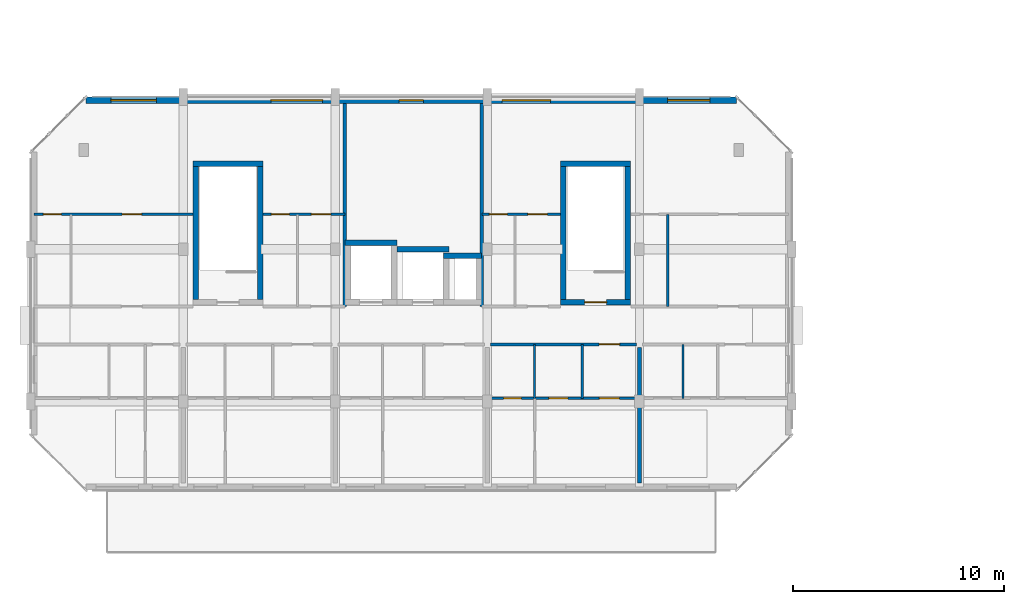
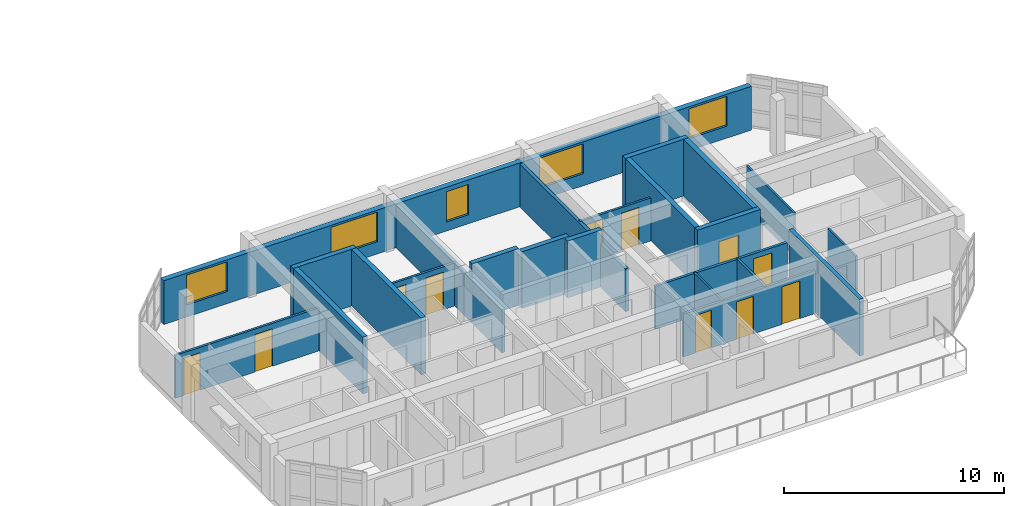
# One storey, part 17 of 40: 23 walls, 11 doors, 5 windows, 16 openings.
"""IFC4 building model written with IfcOpenShell, lengths in metres."""

from ifc_helpers import new_model, si_unit, direction, frame, frame_2d, origin, place, context, subcontext, project, spatial, rectangle, extrude, material, layer, layer_set, type_object, element, fill, save


model = new_model("IFC4")

# Units and contexts
model_context = context("Model", 3, precision=1e-05, world=origin(), true_north=direction((0.0, 1.0)))
body_context = subcontext(model_context, "Body", "Model", "MODEL_VIEW")
ifc_project = project(units=[si_unit("LENGTHUNIT", "METRE"), si_unit("AREAUNIT", "SQUARE_METRE"), si_unit("VOLUMEUNIT", "CUBIC_METRE"), si_unit("PLANEANGLEUNIT", "RADIAN"), si_unit("MASSUNIT", "GRAM", prefix="KILO")], contexts=[model_context])

# Site, building, storey
site_placement = place(None, origin())
site = spatial("IfcSite", under=ifc_project, at=site_placement, CompositionType="ELEMENT")
building_placement = place(site_placement, origin())
building = spatial("IfcBuilding", under=site, at=building_placement, Name="Ochrevale Crest", CompositionType="ELEMENT")
storey_placement = place(building_placement, frame((0.0, 0.0, 27.60009765625)))
storey = spatial("IfcBuildingStorey", under=building, at=storey_placement, Name="L08", CompositionType="ELEMENT", Elevation=27.60009765625)

# Wall, opening, door
ifc_material_1 = material(Name="Gypsum plasterboard", Category="gypsum")
ifc_layer_1 = layer(ifc_material_1, 0.139892578125)
ifc_layer_set_1 = layer_set([ifc_layer_1], Name="Gypsum plasterboard")
wall_type_1 = type_object("IfcWallType", Name="WL-COR-140", PredefinedType="PARTITIONING", material=ifc_layer_set_1)
wall_1_placement = place(storey_placement, frame((21.739990234375, 24.300048828125, 0.0), z_axis=(0.0, 0.0, 1.0), x_axis=(1.0, 0.0, 0.0)))
wall_1 = element("IfcWall", 1, at=wall_1_placement, inside=storey, type_object=wall_type_1, Name="Apartment A-L08-U4 corridor wall", PredefinedType="PARTITIONING", context=body_context, shape_type="SweptSolid", body=[
    extrude(rectangle(XDim=6.919921875, YDim=0.139892578125, at=frame_2d((3.4599609375, 0.0))), origin(), (0.0, 0.0, 1.0), 2.3798828125),
])
opening_1_placement = place(wall_1_placement, frame((5.14501953125, 0.0, 0.0)))
opening_1 = element("IfcOpeningElement", 2, at=opening_1_placement, cuts=wall_1, Name="Opening FD01", PredefinedType="OPENING", context=body_context, shape_type="SweptSolid", body=[
    extrude(rectangle(XDim=0.97998046875, YDim=2.10009765625, at=frame_2d((0.489990234375, 1.050048828125))), frame((0.0, 0.080078125, 0.0), z_axis=(0.0, -1.0, 0.0), x_axis=(1.0, 0.0, 0.0)), (0.0, 0.0, 1.0), 0.159912109375),
])
ifc_material_2 = material(Name="Solid-core FSC hardwood", Category="wood")
door_type_1 = type_object("IfcDoorType", Name="DR-APT-950", OperationType="NOTDEFINED", PredefinedType="DOOR", material=ifc_material_2)
door_1_placement = place(opening_1_placement, origin())
door_1 = element("IfcDoor", 3, at=door_1_placement, inside=storey, type_object=door_type_1, Name="Apartment A-L08-U4 entrance door", OperationType="SINGLE_SWING_LEFT", OverallHeight=2.10009765625, OverallWidth=0.97998046875, PredefinedType="DOOR", context=body_context, shape_type="SweptSolid", body=[
    extrude(rectangle(XDim=0.97998046875, YDim=2.10009765625, at=frame_2d((0.489990234375, 1.050048828125))), frame((0.0, 0.02490234375, 0.0), z_axis=(0.0, -1.0, 0.0), x_axis=(1.0, 0.0, 0.0)), (0.0, 0.0, 1.0), 0.050048828125),
])
fill(opening_1, door_1)

# Walls
ifc_material_3 = material(Name="Precast concrete C50/60", Category="concrete")
ifc_layer_2 = layer(ifc_material_3, 0.2548828125)
ifc_layer_set_2 = layer_set([ifc_layer_2], Name="Precast concrete C50/60")
wall_type_2 = type_object("IfcWallType", Name="WL-CORE-255", PredefinedType="SHEAR", material=ifc_layer_set_2)
wall_2_placement = place(storey_placement, frame((7.672607421875, 32.85009765625, 0.0), z_axis=(0.0, 0.0, 1.0), x_axis=(1.0, 0.0, 0.0)))
element("IfcWall", 4, at=wall_2_placement, inside=storey, type_object=wall_type_2, Name="Block A L08 Stair 1 precast core shear wall N", PredefinedType="SHEAR", context=body_context, shape_type="SweptSolid", body=[
    extrude(rectangle(XDim=3.304931640625, YDim=0.2548828125, at=frame_2d((1.65234375, 0.0))), origin(), (0.0, 0.0, 1.0), 3.14990234375),
])
for number, where, z_axis, x_axis, name in (
    (5, (7.800048828125, 26.427490234375, 0.0), (0.0, 0.0, 1.0), (0.0, 1.0, 0.0), "Block A L08 Stair 1 precast core shear wall W"),
    (6, (10.85009765625, 26.427490234375, 0.0), (0.0, 0.0, 1.0), (0.0, 1.0, 0.0), "Block A L08 Stair 1 precast core shear wall E"),
):
    element("IfcWall", number, at=place(storey_placement, frame(where, z_axis=z_axis, x_axis=x_axis)), inside=storey, type_object=wall_type_2, Name=name, PredefinedType="SHEAR", context=body_context, shape_type="SweptSolid", body=[
        extrude(rectangle(XDim=6.294921875, YDim=0.2548828125, at=frame_2d((3.1474609375, 0.0))), origin(), (0.0, 0.0, 1.0), 3.14990234375),
    ])

# Wall, opening, door
wall_3_placement = place(storey_placement, frame((25.072509765625, 26.300048828125, 0.0), z_axis=(0.0, 0.0, 1.0), x_axis=(1.0, 0.0, 0.0)))
wall_3 = element("IfcWall", 7, at=wall_3_placement, inside=storey, type_object=wall_type_2, Name="Block A L08 Stair 2 precast core shear wall S", PredefinedType="SHEAR", context=body_context, shape_type="SweptSolid", body=[
    extrude(rectangle(XDim=3.304931640625, YDim=0.2548828125, at=frame_2d((1.65234375, 0.0))), origin(), (0.0, 0.0, 1.0), 3.14990234375),
])
opening_2_placement = place(wall_3_placement, frame((1.12744140625, 0.0, 0.0)))
opening_2 = element("IfcOpeningElement", 8, at=opening_2_placement, cuts=wall_3, Name="Opening FD03", PredefinedType="OPENING", context=body_context, shape_type="SweptSolid", body=[
    extrude(rectangle(XDim=1.050048828125, YDim=2.1201171875, at=frame_2d((0.52490234375, 1.06005859375))), frame((0.0, 0.137451171875, 0.0), z_axis=(0.0, -1.0, 0.0), x_axis=(1.0, 0.0, 0.0)), (0.0, 0.0, 1.0), 0.27490234375),
])
door_type_2 = type_object("IfcDoorType", Name="DR-ST-1050", OperationType="NOTDEFINED", PredefinedType="DOOR", material=ifc_material_2)
door_2_placement = place(opening_2_placement, origin())
door_2 = element("IfcDoor", 9, at=door_2_placement, inside=storey, type_object=door_type_2, Name="Block A L08 fire stair 2 door", OperationType="SINGLE_SWING_LEFT", OverallHeight=2.1201171875, OverallWidth=1.050048828125, PredefinedType="DOOR", context=body_context, shape_type="SweptSolid", body=[
    extrude(rectangle(XDim=1.050048828125, YDim=2.1201171875, at=frame_2d((0.52490234375, 1.06005859375))), frame((0.0, 0.02490234375, 0.0), z_axis=(0.0, -1.0, 0.0), x_axis=(1.0, 0.0, 0.0)), (0.0, 0.0, 1.0), 0.050048828125),
])
fill(opening_2, door_2)

# Walls
wall_4_placement = place(storey_placement, frame((25.072509765625, 32.85009765625, 0.0), z_axis=(0.0, 0.0, 1.0), x_axis=(1.0, 0.0, 0.0)))
element("IfcWall", 10, at=wall_4_placement, inside=storey, type_object=wall_type_2, Name="Block A L08 Stair 2 precast core shear wall N", PredefinedType="SHEAR", context=body_context, shape_type="SweptSolid", body=[
    extrude(rectangle(XDim=3.304931640625, YDim=0.2548828125, at=frame_2d((1.65234375, 0.0))), origin(), (0.0, 0.0, 1.0), 3.14990234375),
])
for number, where, z_axis, x_axis, name in (
    (11, (25.199951171875, 26.427490234375, 0.0), (0.0, 0.0, 1.0), (0.0, 1.0, 0.0), "Block A L08 Stair 2 precast core shear wall W"),
    (12, (28.25, 26.427490234375, 0.0), (0.0, 0.0, 1.0), (0.0, 1.0, 0.0), "Block A L08 Stair 2 precast core shear wall E"),
):
    element("IfcWall", number, at=place(storey_placement, frame(where, z_axis=z_axis, x_axis=x_axis)), inside=storey, type_object=wall_type_2, Name=name, PredefinedType="SHEAR", context=body_context, shape_type="SweptSolid", body=[
        extrude(rectangle(XDim=6.294921875, YDim=0.2548828125, at=frame_2d((3.1474609375, 0.0))), origin(), (0.0, 0.0, 1.0), 3.14990234375),
    ])
wall_5_placement = place(storey_placement, frame((14.87255859375, 29.10009765625, 0.0), z_axis=(0.0, 0.0, 1.0), x_axis=(1.0, 0.0, 0.0)))
element("IfcWall", 13, at=wall_5_placement, inside=storey, type_object=wall_type_2, Name="Block A L08 Lift 1 precast shaft shear wall N", PredefinedType="SHEAR", context=body_context, shape_type="SweptSolid", body=[
    extrude(rectangle(XDim=2.454833984375, YDim=0.2548828125, at=frame_2d((1.2275390625, 0.0))), origin(), (0.0, 0.0, 1.0), 3.14990234375),
])
wall_6_placement = place(storey_placement, frame((17.322509765625, 28.800048828125, 0.0), z_axis=(0.0, 0.0, 1.0), x_axis=(1.0, 0.0, 0.0)))
element("IfcWall", 14, at=wall_6_placement, inside=storey, type_object=wall_type_2, Name="Block A L08 Lift 2 precast shaft shear wall N", PredefinedType="SHEAR", context=body_context, shape_type="SweptSolid", body=[
    extrude(rectangle(XDim=2.455078125, YDim=0.2548828125, at=frame_2d((1.2275390625, 0.0))), origin(), (0.0, 0.0, 1.0), 3.14990234375),
])
wall_7_placement = place(storey_placement, frame((19.5224609375, 28.5, 0.0), z_axis=(0.0, 0.0, 1.0), x_axis=(1.0, 0.0, 0.0)))
element("IfcWall", 15, at=wall_7_placement, inside=storey, type_object=wall_type_2, Name="Block A L08 services riser shaft core wall N", PredefinedType="SHEAR", context=body_context, shape_type="SweptSolid", body=[
    extrude(rectangle(XDim=1.804931640625, YDim=0.2548828125, at=frame_2d((0.90234375, 0.0))), origin(), (0.0, 0.0, 1.0), 3.14990234375),
])

# Wall, openings, windows
ifc_material_4 = material(Name="Clay face brickwork", Category="masonry")
ifc_layer_3 = layer(ifc_material_4, 0.2900390625)
ifc_layer_set_3 = layer_set([ifc_layer_3], Name="Clay face brickwork")
wall_type_3 = type_object("IfcWallType", Name="WL-EXT-BRICK-290", PredefinedType="SOLIDWALL", material=ifc_layer_set_3)
wall_8_placement = place(storey_placement, frame((33.39990234375, 35.85498046875, 0.0), z_axis=(0.0, 0.0, 1.0), x_axis=(-1.0, 0.0, 0.0)))
wall_8 = element("IfcWall", 16, at=wall_8_placement, inside=storey, type_object=wall_type_3, Name="Block A L08 external facade wall E5", PredefinedType="SOLIDWALL", context=body_context, shape_type="SweptSolid", body=[
    extrude(rectangle(XDim=30.7998046875, YDim=0.2900390625, at=frame_2d((15.39990234375, 0.0))), origin(), (0.0, 0.0, 1.0), 2.429931640625),
])
opening_3_placement = place(wall_8_placement, frame((14.824951171875, 0.0, 0.5)))
opening_3 = element("IfcOpeningElement", 17, at=opening_3_placement, cuts=wall_8, Name="Opening W32", PredefinedType="OPENING", context=body_context, shape_type="SweptSolid", body=[
    extrude(rectangle(XDim=1.14990234375, YDim=1.679931640625, at=frame_2d((0.574951171875, 0.83984375))), frame((0.0, 0.155029296875, 0.0), z_axis=(0.0, -1.0, 0.0), x_axis=(1.0, 0.0, 0.0)), (0.0, 0.0, 1.0), 0.31005859375),
])
opening_4_placement = place(wall_8_placement, frame((1.264892578125, 0.0, 0.669921875)))
opening_4 = element("IfcOpeningElement", 18, at=opening_4_placement, cuts=wall_8, Name="Opening W12", PredefinedType="OPENING", context=body_context, shape_type="SweptSolid", body=[
    extrude(rectangle(XDim=2.0, YDim=1.64990234375, at=frame_2d((1.0, 0.824951171875))), frame((0.0, 0.155029296875, 0.0), z_axis=(0.0, -1.0, 0.0), x_axis=(1.0, 0.0, 0.0)), (0.0, 0.0, 1.0), 0.31005859375),
])
opening_5_placement = place(wall_8_placement, frame((27.4599609375, 0.0, 0.669921875)))
opening_5 = element("IfcOpeningElement", 19, at=opening_5_placement, cuts=wall_8, Name="Opening W13", PredefinedType="OPENING", context=body_context, shape_type="SweptSolid", body=[
    extrude(rectangle(XDim=2.14990234375, YDim=1.64990234375, at=frame_2d((1.074951171875, 0.824951171875))), frame((0.0, 0.155029296875, 0.0), z_axis=(0.0, -1.0, 0.0), x_axis=(1.0, 0.0, 0.0)), (0.0, 0.0, 1.0), 0.31005859375),
])
opening_6_placement = place(wall_8_placement, frame((8.804931640625, 0.0, 0.669921875)))
opening_6 = element("IfcOpeningElement", 20, at=opening_6_placement, cuts=wall_8, Name="Opening W14", PredefinedType="OPENING", context=body_context, shape_type="SweptSolid", body=[
    extrude(rectangle(XDim=2.300048828125, YDim=1.64990234375, at=frame_2d((1.14990234375, 0.824951171875))), frame((0.0, 0.155029296875, 0.0), z_axis=(0.0, -1.0, 0.0), x_axis=(1.0, 0.0, 0.0)), (0.0, 0.0, 1.0), 0.31005859375),
])
opening_7_placement = place(wall_8_placement, frame((19.594970703125, 0.0, 0.669921875)))
opening_7 = element("IfcOpeningElement", 21, at=opening_7_placement, cuts=wall_8, Name="Opening W15", PredefinedType="OPENING", context=body_context, shape_type="SweptSolid", body=[
    extrude(rectangle(XDim=2.449951171875, YDim=1.64990234375, at=frame_2d((1.22509765625, 0.824951171875))), frame((0.0, 0.155029296875, 0.0), z_axis=(0.0, -1.0, 0.0), x_axis=(1.0, 0.0, 0.0)), (0.0, 0.0, 1.0), 0.31005859375),
])
ifc_material_5 = material(Name="Anodised aluminium 6063-T5 and low-E double glazing", Category="aluminium")
window_type_1 = type_object("IfcWindowType", Name="WIN-W12", PartitioningType="SINGLE_PANEL", PredefinedType="WINDOW", material=ifc_material_5)
window_1_placement = place(opening_4_placement, origin())
window_1 = element("IfcWindow", 22, at=window_1_placement, inside=storey, type_object=window_type_1, Name="Block A L08 Suite A-L08-CE Master Bedroom window", OverallHeight=1.64990234375, OverallWidth=2.0, PartitioningType="SINGLE_PANEL", PredefinedType="WINDOW", context=body_context, shape_type="SweptSolid", body=[
    extrude(rectangle(XDim=2.0, YDim=1.64990234375, at=frame_2d((1.0, 0.824951171875))), frame((0.0, 0.030029296875, 0.0), z_axis=(0.0, -1.0, 0.0), x_axis=(1.0, 0.0, 0.0)), (0.0, 0.0, 1.0), 0.06005859375),
])
fill(opening_4, window_1)
window_type_2 = type_object("IfcWindowType", Name="WIN-W13", PartitioningType="SINGLE_PANEL", PredefinedType="WINDOW", material=ifc_material_5)
window_2_placement = place(opening_5_placement, origin())
window_2 = element("IfcWindow", 23, at=window_2_placement, inside=storey, type_object=window_type_2, Name="Block A L08 Suite A-L08-CW Garden Alcove Studio window", OverallHeight=1.64990234375, OverallWidth=2.14990234375, PartitioningType="SINGLE_PANEL", PredefinedType="WINDOW", context=body_context, shape_type="SweptSolid", body=[
    extrude(rectangle(XDim=2.14990234375, YDim=1.64990234375, at=frame_2d((1.074951171875, 0.824951171875))), frame((0.0, 0.030029296875, 0.0), z_axis=(0.0, -1.0, 0.0), x_axis=(1.0, 0.0, 0.0)), (0.0, 0.0, 1.0), 0.06005859375),
])
fill(opening_5, window_2)
window_type_3 = type_object("IfcWindowType", Name="WIN-W14", PartitioningType="SINGLE_PANEL", PredefinedType="WINDOW", material=ifc_material_5)
window_3_placement = place(opening_6_placement, origin())
window_3 = element("IfcWindow", 24, at=window_3_placement, inside=storey, type_object=window_type_3, Name="Block A L08 Suite A-L08-ME Garden Alcove Studio window", OverallHeight=1.64990234375, OverallWidth=2.300048828125, PartitioningType="SINGLE_PANEL", PredefinedType="WINDOW", context=body_context, shape_type="SweptSolid", body=[
    extrude(rectangle(XDim=2.300048828125, YDim=1.64990234375, at=frame_2d((1.14990234375, 0.824951171875))), frame((0.0, 0.030029296875, 0.0), z_axis=(0.0, -1.0, 0.0), x_axis=(1.0, 0.0, 0.0)), (0.0, 0.0, 1.0), 0.06005859375),
])
fill(opening_6, window_3)
window_type_4 = type_object("IfcWindowType", Name="WIN-W15", PartitioningType="SINGLE_PANEL", PredefinedType="WINDOW", material=ifc_material_5)
window_4_placement = place(opening_7_placement, origin())
window_4 = element("IfcWindow", 25, at=window_4_placement, inside=storey, type_object=window_type_4, Name="Block A L08 Suite A-L08-MW Courtyard Studio Living window", OverallHeight=1.64990234375, OverallWidth=2.449951171875, PartitioningType="SINGLE_PANEL", PredefinedType="WINDOW", context=body_context, shape_type="SweptSolid", body=[
    extrude(rectangle(XDim=2.449951171875, YDim=1.64990234375, at=frame_2d((1.22509765625, 0.824951171875))), frame((0.0, 0.030029296875, 0.0), z_axis=(0.0, -1.0, 0.0), x_axis=(1.0, 0.0, 0.0)), (0.0, 0.0, 1.0), 0.06005859375),
])
fill(opening_7, window_4)
window_type_5 = type_object("IfcWindowType", Name="WIN-W32", PartitioningType="SINGLE_PANEL", PredefinedType="WINDOW", material=ifc_material_5)
window_5_placement = place(opening_3_placement, origin())
window_5 = element("IfcWindow", 26, at=window_5_placement, inside=storey, type_object=window_type_5, Name="Block A L08 core lancet window", OverallHeight=1.679931640625, OverallWidth=1.14990234375, PartitioningType="SINGLE_PANEL", PredefinedType="WINDOW", context=body_context, shape_type="SweptSolid", body=[
    extrude(rectangle(XDim=1.14990234375, YDim=1.679931640625, at=frame_2d((0.574951171875, 0.83984375))), frame((0.0, 0.030029296875, 0.0), z_axis=(0.0, -1.0, 0.0), x_axis=(1.0, 0.0, 0.0)), (0.0, 0.0, 1.0), 0.06005859375),
])
fill(opening_3, window_5)

# Wall
ifc_layer_4 = layer(ifc_material_1, 0.1201171875)
ifc_layer_set_4 = layer_set([ifc_layer_4], Name="Gypsum plasterboard")
wall_type_4 = type_object("IfcWallType", Name="WL-PART-120", PredefinedType="PARTITIONING", material=ifc_layer_set_4)
wall_9_placement = place(storey_placement, frame((26.090087890625, 21.75, 0.0), z_axis=(0.0, 0.0, 1.0), x_axis=(0.0, 1.0, 0.0)))
element("IfcWall", 27, at=wall_9_placement, inside=storey, type_object=wall_type_4, Name="Apartment A-L08-U4 kitchen-foyer wall", PredefinedType="PARTITIONING", context=body_context, shape_type="SweptSolid", body=[
    extrude(rectangle(XDim=2.550048828125, YDim=0.1201171875, at=frame_2d((1.27490234375, 0.0))), origin(), (0.0, 0.0, 1.0), 2.3798828125),
])

# Wall, openings, doors
wall_10_placement = place(storey_placement, frame((21.739990234375, 21.75, 0.0), z_axis=(0.0, 0.0, 1.0), x_axis=(1.0, 0.0, 0.0)))
wall_10 = element("IfcWall", 28, at=wall_10_placement, inside=storey, type_object=wall_type_4, Name="Apartment A-L08-U4 central partition", PredefinedType="PARTITIONING", context=body_context, shape_type="SweptSolid", body=[
    extrude(rectangle(XDim=6.919921875, YDim=0.1201171875, at=frame_2d((3.4599609375, 0.0))), origin(), (0.0, 0.0, 1.0), 2.3798828125),
])
opening_8_placement = place(wall_10_placement, frame((1.47509765625, 0.0, 0.0), z_axis=(0.0, 0.0, 1.0), x_axis=(-1.0, 0.0, 0.0)))
opening_8 = element("IfcOpeningElement", 29, at=opening_8_placement, cuts=wall_10, Name="Opening ID01", PredefinedType="OPENING", context=body_context, shape_type="SweptSolid", body=[
    extrude(rectangle(XDim=0.85009765625, YDim=2.080078125, at=frame_2d((0.425048828125, 1.0400390625))), frame((0.0, 0.070068359375, 0.0), z_axis=(0.0, -1.0, 0.0), x_axis=(1.0, 0.0, 0.0)), (0.0, 0.0, 1.0), 0.14013671875),
])
opening_9_placement = place(wall_10_placement, frame((2.77490234375, 0.0, 0.0)))
opening_9 = element("IfcOpeningElement", 30, at=opening_9_placement, cuts=wall_10, Name="Opening ID02", PredefinedType="OPENING", context=body_context, shape_type="SweptSolid", body=[
    extrude(rectangle(XDim=0.89990234375, YDim=2.080078125, at=frame_2d((0.449951171875, 1.0400390625))), frame((0.0, 0.070068359375, 0.0), z_axis=(0.0, -1.0, 0.0), x_axis=(1.0, 0.0, 0.0)), (0.0, 0.0, 1.0), 0.14013671875),
])
opening_10_placement = place(wall_10_placement, frame((6.10986328125, 0.0, 0.0), z_axis=(0.0, 0.0, 1.0), x_axis=(-1.0, 0.0, 0.0)))
opening_10 = element("IfcOpeningElement", 31, at=opening_10_placement, cuts=wall_10, Name="Opening ID06", PredefinedType="OPENING", context=body_context, shape_type="SweptSolid", body=[
    extrude(rectangle(XDim=0.949951171875, YDim=2.080078125, at=frame_2d((0.47509765625, 1.0400390625))), frame((0.0, 0.070068359375, 0.0), z_axis=(0.0, -1.0, 0.0), x_axis=(1.0, 0.0, 0.0)), (0.0, 0.0, 1.0), 0.14013671875),
])
door_type_3 = type_object("IfcDoorType", Name="DR-INT-900", OperationType="NOTDEFINED", PredefinedType="DOOR", material=ifc_material_2)
door_3_placement = place(opening_9_placement, origin())
door_3 = element("IfcDoor", 32, at=door_3_placement, inside=storey, type_object=door_type_3, Name="Apartment A-L08-U4 Kitchen door", OperationType="SINGLE_SWING_LEFT", OverallHeight=2.080078125, OverallWidth=0.89990234375, PredefinedType="DOOR", context=body_context, shape_type="SweptSolid", body=[
    extrude(rectangle(XDim=0.89990234375, YDim=2.080078125, at=frame_2d((0.449951171875, 1.0400390625))), frame((0.0, 0.02490234375, 0.0), z_axis=(0.0, -1.0, 0.0), x_axis=(1.0, 0.0, 0.0)), (0.0, 0.0, 1.0), 0.050048828125),
])
fill(opening_9, door_3)
door_type_4 = type_object("IfcDoorType", Name="DR-INT-950", OperationType="NOTDEFINED", PredefinedType="DOOR", material=ifc_material_2)
door_4_placement = place(opening_10_placement, origin())
door_4 = element("IfcDoor", 33, at=door_4_placement, inside=storey, type_object=door_type_4, Name="Apartment A-L08-U4 Living Foyer door", OperationType="SINGLE_SWING_RIGHT", OverallHeight=2.080078125, OverallWidth=0.949951171875, PredefinedType="DOOR", context=body_context, shape_type="SweptSolid", body=[
    extrude(rectangle(XDim=0.949951171875, YDim=2.080078125, at=frame_2d((0.47509765625, 1.0400390625))), frame((0.0, 0.02490234375, 0.0), z_axis=(0.0, -1.0, 0.0), x_axis=(1.0, 0.0, 0.0)), (0.0, 0.0, 1.0), 0.050048828125),
])
fill(opening_10, door_4)
door_type_5 = type_object("IfcDoorType", Name="DR-WC-850", OperationType="NOTDEFINED", PredefinedType="DOOR", material=ifc_material_2)
door_5_placement = place(opening_8_placement, origin())
door_5 = element("IfcDoor", 34, at=door_5_placement, inside=storey, type_object=door_type_5, Name="Apartment A-L08-U4 Bathroom door", OperationType="SINGLE_SWING_RIGHT", OverallHeight=2.080078125, OverallWidth=0.85009765625, PredefinedType="DOOR", context=body_context, shape_type="SweptSolid", body=[
    extrude(rectangle(XDim=0.85009765625, YDim=2.080078125, at=frame_2d((0.425048828125, 1.0400390625))), frame((0.0, 0.02490234375, 0.0), z_axis=(0.0, -1.0, 0.0), x_axis=(1.0, 0.0, 0.0)), (0.0, 0.0, 1.0), 0.050048828125),
])
fill(opening_8, door_5)

wall_11_placement = place(storey_placement, frame((0.139892578125, 30.449951171875, 0.0), z_axis=(0.0, 0.0, 1.0), x_axis=(1.0, 0.0, 0.0)))
wall_11 = element("IfcWall", 35, at=wall_11_placement, inside=storey, type_object=wall_type_4, Name="Suite A-L08-CW internal wall", PredefinedType="PARTITIONING", context=body_context, shape_type="SweptSolid", body=[
    extrude(rectangle(XDim=7.52001953125, YDim=0.1201171875, at=frame_2d((3.760009765625, 0.0))), origin(), (0.0, 0.0, 1.0), 2.3798828125),
])
opening_11_placement = place(wall_11_placement, frame((0.449951171875, 0.0, 0.0)))
opening_11 = element("IfcOpeningElement", 36, at=opening_11_placement, cuts=wall_11, Name="Opening ID01", PredefinedType="OPENING", context=body_context, shape_type="SweptSolid", body=[
    extrude(rectangle(XDim=0.85009765625, YDim=2.080078125, at=frame_2d((0.425048828125, 1.0400390625))), frame((0.0, 0.070068359375, 0.0), z_axis=(0.0, -1.0, 0.0), x_axis=(1.0, 0.0, 0.0)), (0.0, 0.0, 1.0), 0.14013671875),
])
opening_12_placement = place(wall_11_placement, frame((5.094970703125, 0.0, 0.0), z_axis=(0.0, 0.0, 1.0), x_axis=(-1.0, 0.0, 0.0)))
opening_12 = element("IfcOpeningElement", 37, at=opening_12_placement, cuts=wall_11, Name="Opening ID04", PredefinedType="OPENING", context=body_context, shape_type="SweptSolid", body=[
    extrude(rectangle(XDim=0.919921875, YDim=2.080078125, at=frame_2d((0.4599609375, 1.0400390625))), frame((0.0, 0.070068359375, 0.0), z_axis=(0.0, -1.0, 0.0), x_axis=(1.0, 0.0, 0.0)), (0.0, 0.0, 1.0), 0.14013671875),
])
door_type_6 = type_object("IfcDoorType", Name="DR-INT-920", OperationType="NOTDEFINED", PredefinedType="DOOR", material=ifc_material_2)
door_6_placement = place(opening_12_placement, origin())
door_6 = element("IfcDoor", 38, at=door_6_placement, inside=storey, type_object=door_type_6, Name="Suite A-L08-CW Garden Alcove Studio door", OperationType="SINGLE_SWING_RIGHT", OverallHeight=2.080078125, OverallWidth=0.919921875, PredefinedType="DOOR", context=body_context, shape_type="SweptSolid", body=[
    extrude(rectangle(XDim=0.919921875, YDim=2.080078125, at=frame_2d((0.4599609375, 1.0400390625))), frame((0.0, 0.02490234375, 0.0), z_axis=(0.0, -1.0, 0.0), x_axis=(1.0, 0.0, 0.0)), (0.0, 0.0, 1.0), 0.050048828125),
])
fill(opening_12, door_6)
door_7_placement = place(opening_11_placement, origin())
door_7 = element("IfcDoor", 39, at=door_7_placement, inside=storey, type_object=door_type_5, Name="Suite A-L08-CW Bathroom door", OperationType="SINGLE_SWING_LEFT", OverallHeight=2.080078125, OverallWidth=0.85009765625, PredefinedType="DOOR", context=body_context, shape_type="SweptSolid", body=[
    extrude(rectangle(XDim=0.85009765625, YDim=2.080078125, at=frame_2d((0.425048828125, 1.0400390625))), frame((0.0, 0.02490234375, 0.0), z_axis=(0.0, -1.0, 0.0), x_axis=(1.0, 0.0, 0.0)), (0.0, 0.0, 1.0), 0.050048828125),
])
fill(opening_11, door_7)

wall_12_placement = place(storey_placement, frame((10.989990234375, 30.449951171875, 0.0), z_axis=(0.0, 0.0, 1.0), x_axis=(1.0, 0.0, 0.0)))
wall_12 = element("IfcWall", 40, at=wall_12_placement, inside=storey, type_object=wall_type_4, Name="Suite A-L08-MW internal wall", PredefinedType="PARTITIONING", context=body_context, shape_type="SweptSolid", body=[
    extrude(rectangle(XDim=3.8701171875, YDim=0.1201171875, at=frame_2d((1.93505859375, 0.0))), origin(), (0.0, 0.0, 1.0), 2.3798828125),
])
opening_13_placement = place(wall_12_placement, frame((1.23779296875, 0.0, 0.0), z_axis=(0.0, 0.0, 1.0), x_axis=(-1.0, 0.0, 0.0)))
opening_13 = element("IfcOpeningElement", 41, at=opening_13_placement, cuts=wall_12, Name="Opening ID01", PredefinedType="OPENING", context=body_context, shape_type="SweptSolid", body=[
    extrude(rectangle(XDim=0.85009765625, YDim=2.080078125, at=frame_2d((0.425048828125, 1.0400390625))), frame((0.0, 0.070068359375, 0.0), z_axis=(0.0, -1.0, 0.0), x_axis=(1.0, 0.0, 0.0)), (0.0, 0.0, 1.0), 0.14013671875),
])
opening_14_placement = place(wall_12_placement, frame((2.28759765625, 0.0, 0.0)))
opening_14 = element("IfcOpeningElement", 42, at=opening_14_placement, cuts=wall_12, Name="Opening ID04", PredefinedType="OPENING", context=body_context, shape_type="SweptSolid", body=[
    extrude(rectangle(XDim=0.919921875, YDim=2.080078125, at=frame_2d((0.4599609375, 1.0400390625))), frame((0.0, 0.070068359375, 0.0), z_axis=(0.0, -1.0, 0.0), x_axis=(1.0, 0.0, 0.0)), (0.0, 0.0, 1.0), 0.14013671875),
])
door_8_placement = place(opening_14_placement, origin())
door_8 = element("IfcDoor", 43, at=door_8_placement, inside=storey, type_object=door_type_6, Name="Suite A-L08-MW Courtyard Studio Living door", OperationType="SINGLE_SWING_LEFT", OverallHeight=2.080078125, OverallWidth=0.919921875, PredefinedType="DOOR", context=body_context, shape_type="SweptSolid", body=[
    extrude(rectangle(XDim=0.919921875, YDim=2.080078125, at=frame_2d((0.4599609375, 1.0400390625))), frame((0.0, 0.02490234375, 0.0), z_axis=(0.0, -1.0, 0.0), x_axis=(1.0, 0.0, 0.0)), (0.0, 0.0, 1.0), 0.050048828125),
])
fill(opening_14, door_8)
door_9_placement = place(opening_13_placement, origin())
door_9 = element("IfcDoor", 44, at=door_9_placement, inside=storey, type_object=door_type_5, Name="Suite A-L08-MW Bathroom door", OperationType="SINGLE_SWING_RIGHT", OverallHeight=2.080078125, OverallWidth=0.85009765625, PredefinedType="DOOR", context=body_context, shape_type="SweptSolid", body=[
    extrude(rectangle(XDim=0.85009765625, YDim=2.080078125, at=frame_2d((0.425048828125, 1.0400390625))), frame((0.0, 0.02490234375, 0.0), z_axis=(0.0, -1.0, 0.0), x_axis=(1.0, 0.0, 0.0)), (0.0, 0.0, 1.0), 0.050048828125),
])
fill(opening_13, door_9)

wall_13_placement = place(storey_placement, frame((21.340087890625, 30.449951171875, 0.0), z_axis=(0.0, 0.0, 1.0), x_axis=(1.0, 0.0, 0.0)))
wall_13 = element("IfcWall", 45, at=wall_13_placement, inside=storey, type_object=wall_type_4, Name="Suite A-L08-ME internal wall", PredefinedType="PARTITIONING", context=body_context, shape_type="SweptSolid", body=[
    extrude(rectangle(XDim=3.719970703125, YDim=0.1201171875, at=frame_2d((1.85986328125, 0.0))), origin(), (0.0, 0.0, 1.0), 2.3798828125),
])
opening_15_placement = place(wall_13_placement, frame((0.356201171875, 0.0, 0.0)))
opening_15 = element("IfcOpeningElement", 46, at=opening_15_placement, cuts=wall_13, Name="Opening ID01", PredefinedType="OPENING", context=body_context, shape_type="SweptSolid", body=[
    extrude(rectangle(XDim=0.85009765625, YDim=2.080078125, at=frame_2d((0.425048828125, 1.0400390625))), frame((0.0, 0.070068359375, 0.0), z_axis=(0.0, -1.0, 0.0), x_axis=(1.0, 0.0, 0.0)), (0.0, 0.0, 1.0), 0.14013671875),
])
opening_16_placement = place(wall_13_placement, frame((3.10107421875, 0.0, 0.0), z_axis=(0.0, 0.0, 1.0), x_axis=(-1.0, 0.0, 0.0)))
opening_16 = element("IfcOpeningElement", 47, at=opening_16_placement, cuts=wall_13, Name="Opening ID04", PredefinedType="OPENING", context=body_context, shape_type="SweptSolid", body=[
    extrude(rectangle(XDim=0.919921875, YDim=2.080078125, at=frame_2d((0.4599609375, 1.0400390625))), frame((0.0, 0.070068359375, 0.0), z_axis=(0.0, -1.0, 0.0), x_axis=(1.0, 0.0, 0.0)), (0.0, 0.0, 1.0), 0.14013671875),
])
door_10_placement = place(opening_16_placement, origin())
door_10 = element("IfcDoor", 48, at=door_10_placement, inside=storey, type_object=door_type_6, Name="Suite A-L08-ME Garden Alcove Studio door", OperationType="SINGLE_SWING_RIGHT", OverallHeight=2.080078125, OverallWidth=0.919921875, PredefinedType="DOOR", context=body_context, shape_type="SweptSolid", body=[
    extrude(rectangle(XDim=0.919921875, YDim=2.080078125, at=frame_2d((0.4599609375, 1.0400390625))), frame((0.0, 0.02490234375, 0.0), z_axis=(0.0, -1.0, 0.0), x_axis=(1.0, 0.0, 0.0)), (0.0, 0.0, 1.0), 0.050048828125),
])
fill(opening_16, door_10)
door_11_placement = place(opening_15_placement, origin())
door_11 = element("IfcDoor", 49, at=door_11_placement, inside=storey, type_object=door_type_5, Name="Suite A-L08-ME Bathroom door", OperationType="SINGLE_SWING_LEFT", OverallHeight=2.080078125, OverallWidth=0.85009765625, PredefinedType="DOOR", context=body_context, shape_type="SweptSolid", body=[
    extrude(rectangle(XDim=0.85009765625, YDim=2.080078125, at=frame_2d((0.425048828125, 1.0400390625))), frame((0.0, 0.02490234375, 0.0), z_axis=(0.0, -1.0, 0.0), x_axis=(1.0, 0.0, 0.0)), (0.0, 0.0, 1.0), 0.050048828125),
])
fill(opening_15, door_11)

# Walls
ifc_material_6 = material(Name="Precast concrete C40/50", Category="concrete")
ifc_layer_5 = layer(ifc_material_6, 0.2099609375)
ifc_layer_set_5 = layer_set([ifc_layer_5], Name="Precast concrete C40/50")
wall_type_5 = type_object("IfcWallType", Name="WL-SHEAR-210", PredefinedType="SHEAR", material=ifc_layer_set_5)
wall_14_placement = place(storey_placement, frame((28.800048828125, 17.75, 0.0), z_axis=(0.0, 0.0, 1.0), x_axis=(0.0, 1.0, 0.0)))
element("IfcWall", 50, at=wall_14_placement, inside=storey, type_object=wall_type_5, Name="Block A L08 load-bearing precast cross-wall X=28.8", PredefinedType="SHEAR", context=body_context, shape_type="SweptSolid", body=[
    extrude(rectangle(XDim=6.39990234375, YDim=0.2099609375, at=frame_2d((3.199951171875, 0.0))), origin(), (0.0, 0.0, 1.0), 3.14990234375),
])
ifc_layer_6 = layer(ifc_material_1, 0.169921875)
ifc_layer_set_6 = layer_set([ifc_layer_6], Name="Gypsum plasterboard")
wall_type_6 = type_object("IfcWallType", Name="WL-TEN-170", PredefinedType="PARTITIONING", material=ifc_layer_set_6)
for number, where, z_axis, x_axis, name in (
    (51, (14.860107421875, 26.10009765625, 0.0), (0.0, 0.0, 1.0), (0.0, 1.0, 0.0), "Suite A-L08-MW east party wall"),
    (52, (21.340087890625, 26.10009765625, 0.0), (0.0, 0.0, 1.0), (0.0, 1.0, 0.0), "Suite A-L08-ME west party wall"),
):
    element("IfcWall", number, at=place(storey_placement, frame(where, z_axis=z_axis, x_axis=x_axis)), inside=storey, type_object=wall_type_6, Name=name, PredefinedType="PARTITIONING", context=body_context, shape_type="SweptSolid", body=[
        extrude(rectangle(XDim=9.599853515625, YDim=0.169921875, at=frame_2d((4.7998046875, 0.0))), origin(), (0.0, 0.0, 1.0), 2.3798828125),
    ])
ifc_layer_7 = layer(ifc_material_1, 0.10009765625)
ifc_layer_set_7 = layer_set([ifc_layer_7], Name="Gypsum plasterboard")
wall_type_7 = type_object("IfcWallType", Name="WL-WET-100", PredefinedType="PARTITIONING", material=ifc_layer_set_7)
for number, where, z_axis, x_axis, name in (
    (53, (23.840087890625, 21.75, 0.0), (0.0, 0.0, 1.0), (0.0, 1.0, 0.0), "Apartment A-L08-U4 bath-kitchen wall"),
    (54, (30.85009765625, 21.75, 0.0), (0.0, 0.0, 1.0), (0.0, 1.0, 0.0), "Apartment A-L08-U5 bath-kitchen wall"),
):
    element("IfcWall", number, at=place(storey_placement, frame(where, z_axis=z_axis, x_axis=x_axis)), inside=storey, type_object=wall_type_7, Name=name, PredefinedType="PARTITIONING", context=body_context, shape_type="SweptSolid", body=[
        extrude(rectangle(XDim=2.550048828125, YDim=0.10009765625, at=frame_2d((1.27490234375, 0.0))), origin(), (0.0, 0.0, 1.0), 2.3798828125),
    ])
wall_15_placement = place(storey_placement, frame((30.139892578125, 26.10009765625, 0.0), z_axis=(0.0, 0.0, 1.0), x_axis=(0.0, 1.0, 0.0)))
element("IfcWall", 55, at=wall_15_placement, inside=storey, type_object=wall_type_7, Name="Suite A-L08-CE bathroom divider", PredefinedType="PARTITIONING", context=body_context, shape_type="SweptSolid", body=[
    extrude(rectangle(XDim=4.349853515625, YDim=0.10009765625, at=frame_2d((2.1748046875, 0.0))), origin(), (0.0, 0.0, 1.0), 2.3798828125),
])

save(model, "model.ifc")
